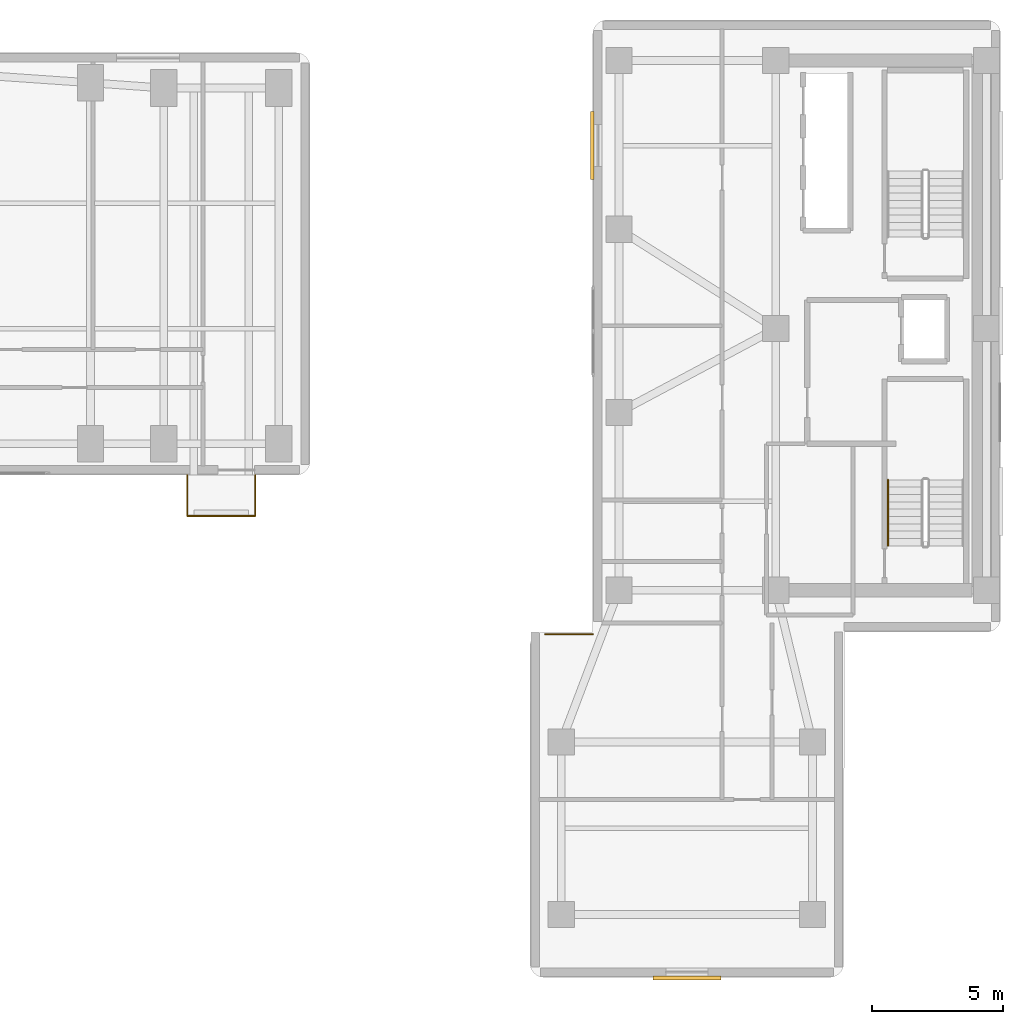
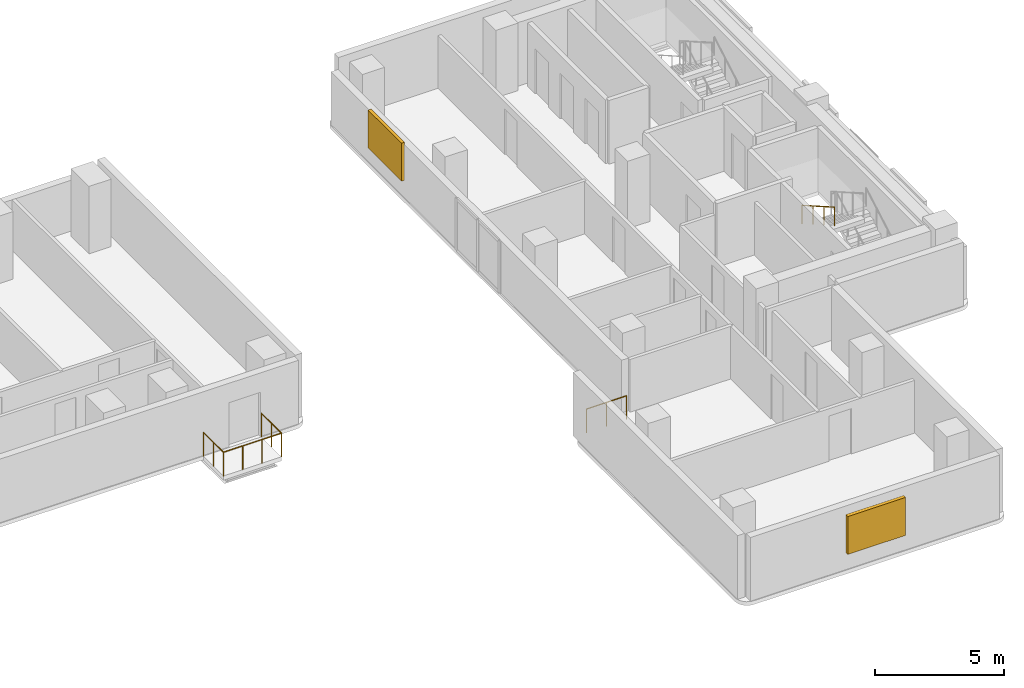
# One storey, part 16 of 17: 5 railings, 2 shading devices.
"""IFC4 building model written with IfcOpenShell, lengths in metres."""

from ifc_helpers import new_model, si_unit, direction, frame, origin, origin_2d, place, context, subcontext, project, spatial, rectangle, circle, extrude, material, layer, layer_set, type_object, element, save


model = new_model("IFC4")

# Units and contexts
model_context = context("Model", 3, precision=1e-05, world=origin(), true_north=direction((0.0, 1.0)))
body_context = subcontext(model_context, "Body", "Model", "MODEL_VIEW")
ifc_project = project(units=[si_unit("LENGTHUNIT", "METRE"), si_unit("AREAUNIT", "SQUARE_METRE"), si_unit("VOLUMEUNIT", "CUBIC_METRE"), si_unit("PLANEANGLEUNIT", "RADIAN"), si_unit("MASSUNIT", "GRAM", prefix="KILO")], contexts=[model_context])

# Site, building, storey
site_placement = place(None, origin())
site = spatial("IfcSite", under=ifc_project, at=site_placement, CompositionType="ELEMENT")
building_placement = place(site_placement, origin())
building = spatial("IfcBuilding", under=site, at=building_placement, Name="Kuzgunbayir Cultural Tower", CompositionType="ELEMENT")
storey_placement = place(building_placement, frame((0.0, 0.0, 46.800048828125)))
storey = spatial("IfcBuildingStorey", under=building, at=storey_placement, Name="L12", CompositionType="ELEMENT", Elevation=46.800048828125)

# Railings
ifc_material_1 = material(Name="Laminated Glass and Stainless Steel", Category="steel")
ifc_layer_1 = layer(ifc_material_1, 0.080078125)
ifc_layer_set_1 = layer_set([ifc_layer_1], Name="Laminated Glass and Stainless Steel")
railing_type_1 = type_object("IfcRailingType", Name="RLG-BAL-115", PredefinedType="BALUSTRADE", material=ifc_layer_set_1)
railing_1_placement = place(storey_placement, frame((42.10009765625, 26.39990234375, 0.0)))
element("IfcRailing", 1, at=railing_1_placement, inside=storey, type_object=railing_type_1, Name="L12 Balcony Guard BAL-L12-WB3 Segment 1", PredefinedType="BALUSTRADE", context=body_context, shape_type="SweptSolid", body=[
    extrude(circle(Radius=0.02392578125, at=origin_2d()), frame((0.0, 0.0, 1.1259765625), z_axis=(0.0, -1.0, 0.0), x_axis=(1.0, 0.0, 0.0)), (0.0, 0.0, 1.0), 1.559814453125),
    extrude(circle(Radius=0.02099609375, at=origin_2d()), origin(), (0.0, 0.0, 1.0), 1.101806640625),
    extrude(circle(Radius=0.02099609375, at=origin_2d()), frame((0.0, -0.77978515625, 0.0)), (0.0, 0.0, 1.0), 1.101806640625),
    extrude(circle(Radius=0.02099609375, at=origin_2d()), frame((0.0, -1.559814453125, 0.0)), (0.0, 0.0, 1.0), 1.101806640625),
])
railing_2_placement = place(storey_placement, frame((42.10009765625, 24.840087890625, 0.0)))
element("IfcRailing", 2, at=railing_2_placement, inside=storey, type_object=railing_type_1, Name="L12 Balcony Guard BAL-L12-WB3 Segment 2", PredefinedType="BALUSTRADE", context=body_context, shape_type="SweptSolid", body=[
    extrude(circle(Radius=0.02392578125, at=origin_2d()), frame((0.0, 0.0, 1.1259765625), z_axis=(1.0, 0.0, 0.0), x_axis=(0.0, 1.0, 0.0)), (0.0, 0.0, 1.0), 2.599853515625),
    extrude(circle(Radius=0.02099609375, at=origin_2d()), origin(), (0.0, 0.0, 1.0), 1.101806640625),
    extrude(circle(Radius=0.02099609375, at=origin_2d()), frame((0.86669921875, 0.0, 0.0)), (0.0, 0.0, 1.0), 1.101806640625),
    extrude(circle(Radius=0.02099609375, at=origin_2d()), frame((1.733154296875, 0.0, 0.0)), (0.0, 0.0, 1.0), 1.101806640625),
    extrude(circle(Radius=0.02099609375, at=origin_2d()), frame((2.599853515625, 0.0, 0.0)), (0.0, 0.0, 1.0), 1.101806640625),
])
railing_3_placement = place(storey_placement, frame((44.699951171875, 24.840087890625, 0.0)))
element("IfcRailing", 3, at=railing_3_placement, inside=storey, type_object=railing_type_1, Name="L12 Balcony Guard BAL-L12-WB3 Segment 3", PredefinedType="BALUSTRADE", context=body_context, shape_type="SweptSolid", body=[
    extrude(circle(Radius=0.02392578125, at=origin_2d()), frame((0.0, 0.0, 1.1259765625), z_axis=(0.0, 1.0, 0.0), x_axis=(-1.0, 0.0, 0.0)), (0.0, 0.0, 1.0), 1.559814453125),
    extrude(circle(Radius=0.02099609375, at=origin_2d()), origin(), (0.0, 0.0, 1.0), 1.101806640625),
    extrude(circle(Radius=0.02099609375, at=origin_2d()), frame((0.0, 0.77978515625, 0.0)), (0.0, 0.0, 1.0), 1.101806640625),
    extrude(circle(Radius=0.02099609375, at=origin_2d()), frame((0.0, 1.559814453125, 0.0)), (0.0, 0.0, 1.0), 1.101806640625),
])
railing_4_placement = place(storey_placement, frame((55.7900390625, 20.320068359375, 0.0)))
element("IfcRailing", 4, at=railing_4_placement, inside=storey, type_object=railing_type_1, Name="L12 Perimeter Edge Guard 1", PredefinedType="BALUSTRADE", context=body_context, shape_type="SweptSolid", body=[
    extrude(circle(Radius=0.02392578125, at=origin_2d()), frame((0.0, 0.0, 1.1259765625), z_axis=(1.0, 0.0, 0.0), x_axis=(0.0, 1.0, 0.0)), (0.0, 0.0, 1.0), 1.81005859375),
    extrude(circle(Radius=0.02099609375, at=origin_2d()), origin(), (0.0, 0.0, 1.0), 1.101806640625),
    extrude(circle(Radius=0.02099609375, at=origin_2d()), frame((0.905029296875, 0.0, 0.0)), (0.0, 0.0, 1.0), 1.101806640625),
    extrude(circle(Radius=0.02099609375, at=origin_2d()), frame((1.81005859375, 0.0, 0.0)), (0.0, 0.0, 1.0), 1.101806640625),
])
ifc_material_2 = material(Name="Brushed Stainless Steel", Category="steel")
ifc_layer_2 = layer(ifc_material_2, 0.050048828125)
ifc_layer_set_2 = layer_set([ifc_layer_2], Name="Brushed Stainless Steel")
railing_type_2 = type_object("IfcRailingType", Name="RLG-STAIR-HANDRAIL", PredefinedType="HANDRAIL", material=ifc_layer_set_2)
railing_5_placement = place(storey_placement, frame((68.889892578125, 26.219970703125, 1.760009765625)))
element("IfcRailing", 5, at=railing_5_placement, inside=storey, type_object=railing_type_2, Name="L12 ST-3 stair handrail 2", PredefinedType="HANDRAIL", context=body_context, shape_type="SweptSolid", body=[
    extrude(circle(Radius=0.02392578125, at=origin_2d()), frame((0.0, 0.0, 0.8759765625), z_axis=(0.0, -0.868253494771, 0.496120820787), x_axis=(1.0, 0.0, 0.0)), (0.0, 0.0, 1.0), 2.90234375),
    extrude(circle(Radius=0.02099609375, at=origin_2d()), origin(), (0.0, 0.0, 1.0), 0.851806640625),
    extrude(circle(Radius=0.02099609375, at=origin_2d()), frame((0.0, -0.840087890625, 0.47998046875)), (0.0, 0.0, 1.0), 0.851806640625),
    extrude(circle(Radius=0.02099609375, at=origin_2d()), frame((0.0, -1.679931640625, 0.9599609375)), (0.0, 0.0, 1.0), 0.851806640625),
    extrude(circle(Radius=0.02099609375, at=origin_2d()), frame((0.0, -2.52001953125, 1.43994140625)), (0.0, 0.0, 1.0), 0.851806640625),
])

# Shading devices
ifc_material_3 = material(Name="Perforated Bronze-Anodised Aluminium", Category="aluminium")
shading_device_type_1 = type_object("IfcShadingDeviceType", Name="SHD-SOLAR-BRONZE", PredefinedType="JALOUSIE", material=ifc_material_3)
shading_device_1_placement = place(storey_placement, frame((57.590087890625, 39.0, 0.7998046875), z_axis=(0.0, 0.0, 1.0), x_axis=(1.0, 0.0, 0.0)))
element("IfcShadingDevice", 6, at=shading_device_1_placement, inside=storey, type_object=shading_device_type_1, Name="L12 Companion Bronze Solar Screen 39", PredefinedType="JALOUSIE", context=body_context, shape_type="SweptSolid", body=[
    extrude(rectangle(XDim=0.139892578125, YDim=2.60009765625, at=origin_2d()), origin(), (0.0, 0.0, 1.0), 1.800048828125),
])
ifc_material_4 = material(Name="Warm Terracotta Ceramic Baguette", Category="masonry")
shading_device_type_2 = type_object("IfcShadingDeviceType", Name="SHD-SOLAR-CERAMIC", PredefinedType="SHUTTER", material=ifc_material_4)
shading_device_2_placement = place(storey_placement, frame((61.199951171875, 7.179931640625, 0.7998046875), z_axis=(0.0, 0.0, 1.0), x_axis=(1.0, 0.0, 0.0)))
element("IfcShadingDevice", 7, at=shading_device_2_placement, inside=storey, type_object=shading_device_type_2, Name="L12 Companion Ceramic Solar Screen S1", PredefinedType="SHUTTER", context=body_context, shape_type="SweptSolid", body=[
    extrude(rectangle(XDim=2.60009765625, YDim=0.159912109375, at=origin_2d()), origin(), (0.0, 0.0, 1.0), 1.800048828125),
])

save(model, "model.ifc")
